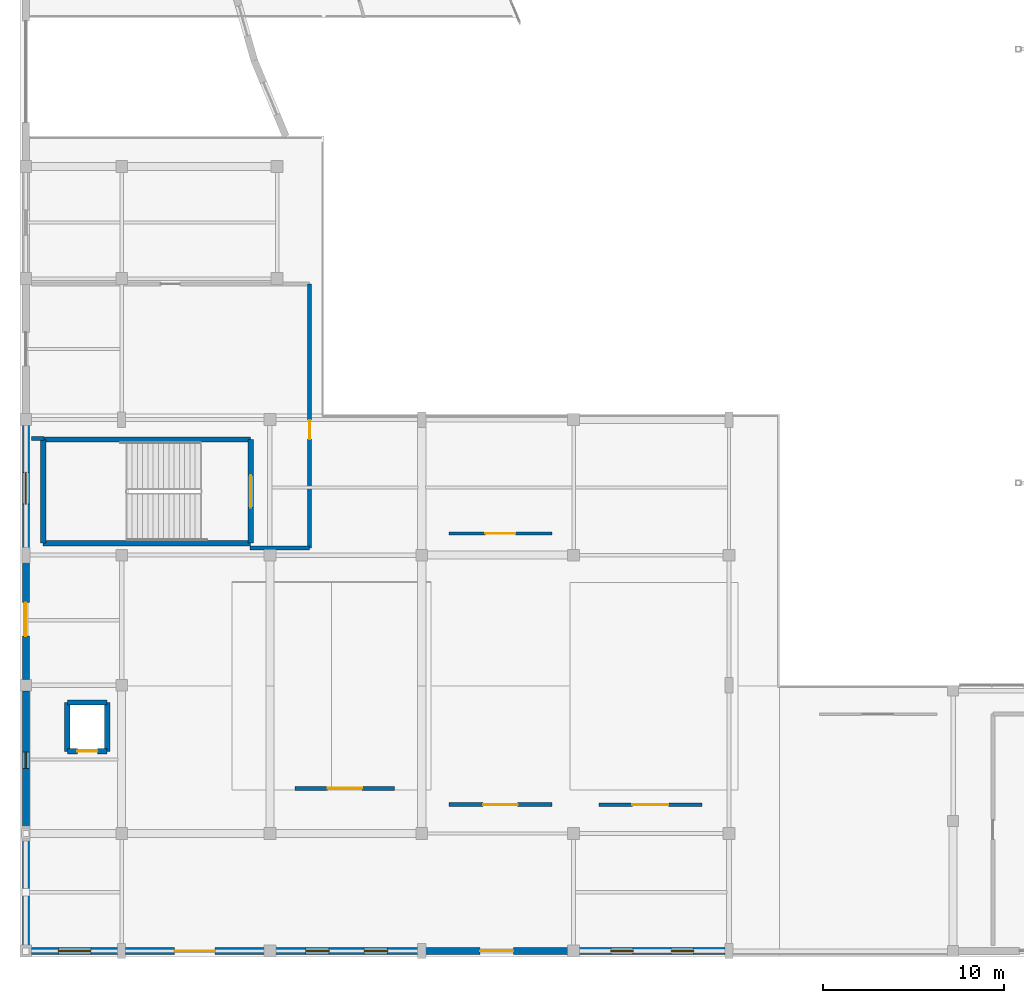
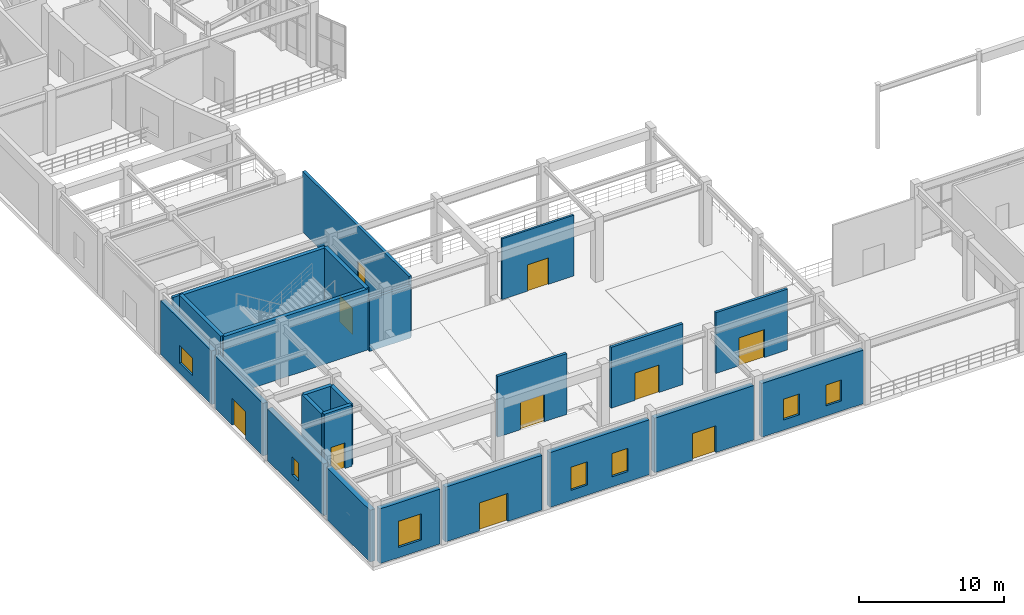
# One storey, part 50 of 93: 24 walls, 10 doors, 7 windows, 17 openings.
"""IFC4 building model written with IfcOpenShell, lengths in metres."""

from ifc_helpers import new_model, si_unit, direction, frame, frame_2d, origin, place, context, subcontext, project, spatial, rectangle, extrude, material, layer, layer_set, type_object, element, fill, save


model = new_model("IFC4")

# Units and contexts
model_context = context("Model", 3, precision=1e-05, world=origin(), true_north=direction((0.0, 1.0)))
body_context = subcontext(model_context, "Body", "Model", "MODEL_VIEW")
ifc_project = project(units=[si_unit("LENGTHUNIT", "METRE"), si_unit("AREAUNIT", "SQUARE_METRE"), si_unit("VOLUMEUNIT", "CUBIC_METRE"), si_unit("PLANEANGLEUNIT", "RADIAN"), si_unit("MASSUNIT", "GRAM", prefix="KILO")], contexts=[model_context])

# Site, building, storey
site_placement = place(None, origin())
site = spatial("IfcSite", under=ifc_project, at=site_placement, CompositionType="ELEMENT")
building_placement = place(site_placement, origin())
building = spatial("IfcBuilding", under=site, at=building_placement, Name="Cinderbank Siding Concert Hall", CompositionType="ELEMENT")
storey_placement = place(building_placement, origin())
storey = spatial("IfcBuildingStorey", under=building, at=storey_placement, Name="L01", CompositionType="ELEMENT", Elevation=0.0)

# Wall, opening, door
ifc_material_1 = material(Name="Reinforced concrete AS 3600 N50 (50 MPa)", Category="concrete")
ifc_layer_1 = layer(ifc_material_1, 0.300048828125)
ifc_layer_set_1 = layer_set([ifc_layer_1], Name="Reinforced concrete AS 3600 N50 (50 MPa)")
wall_type_1 = type_object("IfcWallType", Name="WL-03 Structural Wall 300mm", PredefinedType="SHEAR", material=ifc_layer_set_1)
wall_1_placement = place(storey_placement, frame((19.5400390625, 34.39990234375, 0.0), z_axis=(0.0, 0.0, 1.0), x_axis=(0.0, -1.0, 0.0)))
wall_1 = element("IfcWall", 1, at=wall_1_placement, inside=storey, type_object=wall_type_1, Name="L01 ST-06 Core Wall ENTRY", PredefinedType="SHEAR", context=body_context, shape_type="SweptSolid", body=[
    extrude(rectangle(XDim=5.739990234375, YDim=0.300048828125, at=frame_2d((2.8701171875, 0.0))), origin(), (0.0, 0.0, 1.0), 5.1201171875),
])
opening_1_placement = place(wall_1_placement, frame((1.969970703125, 0.0, 0.0)))
opening_1 = element("IfcOpeningElement", 2, at=opening_1_placement, cuts=wall_1, Name="Opening D-05", PredefinedType="OPENING", context=body_context, shape_type="SweptSolid", body=[
    extrude(rectangle(XDim=1.800048828125, YDim=2.199951171875, at=frame_2d((0.89990234375, 1.10009765625))), frame((0.0, 0.162109375, 0.0), z_axis=(0.0, -1.0, 0.0), x_axis=(1.0, 0.0, 0.0)), (0.0, 0.0, 1.0), 0.323974609375),
])
ifc_material_2 = material(Name="Galvanised sheet steel acoustic fire door assembly", Category="steel")
door_type_1 = type_object("IfcDoorType", Name="D-05 Interior Door 1800x2200", OperationType="DOUBLE_DOOR_SINGLE_SWING", PredefinedType="DOOR", material=ifc_material_2)
door_1_placement = place(opening_1_placement, origin())
door_1 = element("IfcDoor", 3, at=door_1_placement, inside=storey, type_object=door_type_1, Name="L01 ST-06 Fire Stair Door L01-D036", OperationType="DOUBLE_DOOR_SINGLE_SWING", OverallHeight=2.199951171875, OverallWidth=1.800048828125, PredefinedType="DOOR", context=body_context, shape_type="SweptSolid", body=[
    extrude(rectangle(XDim=1.800048828125, YDim=2.199951171875, at=frame_2d((0.89990234375, 1.10009765625))), frame((0.0, 0.02490234375, 0.0), z_axis=(0.0, -1.0, 0.0), x_axis=(1.0, 0.0, 0.0)), (0.0, 0.0, 1.0), 0.050048828125),
])
fill(opening_1, door_1)

# Walls
wall_2_placement = place(storey_placement, frame((8.06005859375, 28.659912109375, 0.0), z_axis=(0.0, 0.0, 1.0), x_axis=(0.0, 1.0, 0.0)))
element("IfcWall", 4, at=wall_2_placement, inside=storey, type_object=wall_type_1, Name="L01 ST-06 Core Wall FAR", PredefinedType="SHEAR", context=body_context, shape_type="SweptSolid", body=[
    extrude(rectangle(XDim=5.739990234375, YDim=0.300048828125, at=frame_2d((2.8701171875, 0.0))), origin(), (0.0, 0.0, 1.0), 5.1201171875),
])
for number, where, z_axis, x_axis, name in (
    (5, (8.06005859375, 34.39990234375, 0.0), (0.0, 0.0, 1.0), (1.0, 0.0, 0.0), "L01 ST-06 Core Wall SIDE1"),
    (6, (19.5400390625, 28.659912109375, 0.0), (0.0, 0.0, 1.0), (-1.0, 0.0, 0.0), "L01 ST-06 Core Wall SIDE2"),
):
    element("IfcWall", number, at=place(storey_placement, frame(where, z_axis=z_axis, x_axis=x_axis)), inside=storey, type_object=wall_type_1, Name=name, PredefinedType="SHEAR", context=body_context, shape_type="SweptSolid", body=[
        extrude(rectangle(XDim=11.47998046875, YDim=0.300048828125, at=frame_2d((5.739990234375, 0.0))), origin(), (0.0, 0.0, 1.0), 5.1201171875),
    ])

# Wall, opening, door
wall_3_placement = place(storey_placement, frame((11.60009765625, 17.14990234375, 0.0), z_axis=(0.0, 0.0, 1.0), x_axis=(-1.0, 0.0, 0.0)))
wall_3 = element("IfcWall", 7, at=wall_3_placement, inside=storey, type_object=wall_type_1, Name="L01 LF-07 Shaft Wall -Y", PredefinedType="SHEAR", context=body_context, shape_type="SweptSolid", body=[
    extrude(rectangle(XDim=2.2001953125, YDim=0.300048828125, at=frame_2d((1.10009765625, 0.0))), origin(), (0.0, 0.0, 1.0), 5.1201171875),
])
opening_2_placement = place(wall_3_placement, frame((0.550048828125, 0.0, 0.0)))
opening_2 = element("IfcOpeningElement", 8, at=opening_2_placement, cuts=wall_3, Name="Opening LD-01", PredefinedType="OPENING", context=body_context, shape_type="SweptSolid", body=[
    extrude(rectangle(XDim=1.10009765625, YDim=2.14990234375, at=frame_2d((0.550048828125, 1.074951171875))), frame((0.0, 0.162109375, 0.0), z_axis=(0.0, -1.0, 0.0), x_axis=(1.0, 0.0, 0.0)), (0.0, 0.0, 1.0), 0.323974609375),
])
door_type_2 = type_object("IfcDoorType", Name="LD-01 Interior Door 1100x2150", OperationType="DOUBLE_DOOR_SLIDING", PredefinedType="DOOR", material=ifc_material_2)
door_2_placement = place(opening_2_placement, origin())
door_2 = element("IfcDoor", 9, at=door_2_placement, inside=storey, type_object=door_type_2, Name="L01 LF-07 Sliding Landing Door", OperationType="DOUBLE_DOOR_SLIDING", OverallHeight=2.14990234375, OverallWidth=1.10009765625, PredefinedType="DOOR", context=body_context, shape_type="SweptSolid", body=[
    extrude(rectangle(XDim=1.10009765625, YDim=2.14990234375, at=frame_2d((0.550048828125, 1.074951171875))), frame((0.0, 0.02490234375, 0.0), z_axis=(0.0, -1.0, 0.0), x_axis=(1.0, 0.0, 0.0)), (0.0, 0.0, 1.0), 0.050048828125),
])
fill(opening_2, door_2)

# Walls
wall_4_placement = place(storey_placement, frame((11.60009765625, 19.85009765625, 0.0), z_axis=(0.0, 0.0, 1.0), x_axis=(0.0, -1.0, 0.0)))
element("IfcWall", 10, at=wall_4_placement, inside=storey, type_object=wall_type_1, Name="L01 LF-07 Shaft Wall +X", PredefinedType="SHEAR", context=body_context, shape_type="SweptSolid", body=[
    extrude(rectangle(XDim=2.7001953125, YDim=0.300048828125, at=frame_2d((1.35009765625, 0.0))), origin(), (0.0, 0.0, 1.0), 5.1201171875),
])
wall_5_placement = place(storey_placement, frame((9.39990234375, 19.85009765625, 0.0), z_axis=(0.0, 0.0, 1.0), x_axis=(1.0, 0.0, 0.0)))
element("IfcWall", 11, at=wall_5_placement, inside=storey, type_object=wall_type_1, Name="L01 LF-07 Shaft Wall +Y", PredefinedType="SHEAR", context=body_context, shape_type="SweptSolid", body=[
    extrude(rectangle(XDim=2.2001953125, YDim=0.300048828125, at=frame_2d((1.10009765625, 0.0))), origin(), (0.0, 0.0, 1.0), 5.1201171875),
])
wall_6_placement = place(storey_placement, frame((9.39990234375, 17.14990234375, 0.0), z_axis=(0.0, 0.0, 1.0), x_axis=(0.0, 1.0, 0.0)))
element("IfcWall", 12, at=wall_6_placement, inside=storey, type_object=wall_type_1, Name="L01 LF-07 Shaft Wall -X", PredefinedType="SHEAR", context=body_context, shape_type="SweptSolid", body=[
    extrude(rectangle(XDim=2.7001953125, YDim=0.300048828125, at=frame_2d((1.35009765625, 0.0))), origin(), (0.0, 0.0, 1.0), 5.1201171875),
])
ifc_layer_2 = layer(ifc_material_1, 0.219970703125)
ifc_layer_set_2 = layer_set([ifc_layer_2], Name="Reinforced concrete AS 3600 N50 (50 MPa)")
wall_type_2 = type_object("IfcWallType", Name="WL-06 Interior Wall 220mm", PredefinedType="SOLIDWALL", material=ifc_layer_set_2)
wall_7_placement = place(storey_placement, frame((8.10009765625, 34.449951171875, 0.0), z_axis=(0.0, 0.0, 1.0), x_axis=(-1.0, 0.0, 0.0)))
element("IfcWall", 13, at=wall_7_placement, inside=storey, type_object=wall_type_2, Name="L01 Fire-Isolated Exit Passage Wall EPW-06-S0", PredefinedType="SOLIDWALL", context=body_context, shape_type="SweptSolid", body=[
    extrude(rectangle(XDim=0.7001953125, YDim=0.219970703125, at=frame_2d((0.35009765625, 0.0))), origin(), (0.0, 0.0, 1.0), 5.10498046875),
])
wall_8_placement = place(storey_placement, frame((22.800048828125, 28.39990234375, 0.0), z_axis=(0.0, 0.0, 1.0), x_axis=(-1.0, 0.0, 0.0)))
element("IfcWall", 14, at=wall_8_placement, inside=storey, type_object=wall_type_2, Name="L01 Fire-Isolated Exit Passage Wall EPW-06-S1", PredefinedType="SOLIDWALL", context=body_context, shape_type="SweptSolid", body=[
    extrude(rectangle(XDim=3.300048828125, YDim=0.219970703125, at=frame_2d((1.64990234375, 0.0))), origin(), (0.0, 0.0, 1.0), 4.406982421875),
])

# Wall, opening, door
wall_9_placement = place(storey_placement, frame((22.800048828125, 43.0, 0.0), z_axis=(0.0, 0.0, 1.0), x_axis=(0.0, -1.0, 0.0)))
wall_9 = element("IfcWall", 15, at=wall_9_placement, inside=storey, type_object=wall_type_2, Name="L01 Fire-Isolated Exit Passage Wall EPW-06-E", PredefinedType="SOLIDWALL", context=body_context, shape_type="SweptSolid", body=[
    extrude(rectangle(XDim=14.60009765625, YDim=0.219970703125, at=frame_2d((7.300048828125, 0.0))), origin(), (0.0, 0.0, 1.0), 5.10498046875),
])
opening_3_placement = place(wall_9_placement, frame((7.52490234375, 0.0, 0.0)))
opening_3 = element("IfcOpeningElement", 16, at=opening_3_placement, cuts=wall_9, Name="Opening D-02", PredefinedType="OPENING", context=body_context, shape_type="SweptSolid", body=[
    extrude(rectangle(XDim=1.050048828125, YDim=2.14990234375, at=frame_2d((0.52490234375, 1.074951171875))), frame((0.0, 0.1220703125, 0.0), z_axis=(0.0, -1.0, 0.0), x_axis=(1.0, 0.0, 0.0)), (0.0, 0.0, 1.0), 0.243896484375),
])
door_type_3 = type_object("IfcDoorType", Name="D-02 Interior Door 1050x2150", OperationType="NOTDEFINED", PredefinedType="DOOR", material=ifc_material_2)
door_3_placement = place(opening_3_placement, origin())
door_3 = element("IfcDoor", 17, at=door_3_placement, inside=storey, type_object=door_type_3, Name="L01 Exit Passage Fire Door L01-D093", OperationType="SINGLE_SWING_RIGHT", OverallHeight=2.14990234375, OverallWidth=1.050048828125, PredefinedType="DOOR", context=body_context, shape_type="SweptSolid", body=[
    extrude(rectangle(XDim=1.050048828125, YDim=2.14990234375, at=frame_2d((0.52490234375, 1.074951171875))), frame((0.0, 0.02490234375, 0.0), z_axis=(0.0, -1.0, 0.0), x_axis=(1.0, 0.0, 0.0)), (0.0, 0.0, 1.0), 0.050048828125),
])
fill(opening_3, door_3)

wall_10_placement = place(storey_placement, frame((22.0, 15.10009765625, 0.0), z_axis=(0.0, 0.0, 1.0), x_axis=(1.0, 0.0, 0.0)))
wall_10 = element("IfcWall", 18, at=wall_10_placement, inside=storey, type_object=wall_type_2, Name="L01 Partition Chamber Hall West Portal", PredefinedType="SOLIDWALL", context=body_context, shape_type="SweptSolid", body=[
    extrude(rectangle(XDim=5.5, YDim=0.219970703125, at=frame_2d((2.75, 0.0))), origin(), (0.0, 0.0, 1.0), 5.10498046875),
])
opening_4_placement = place(wall_10_placement, frame((1.800048828125, 0.0, 0.0)))
opening_4 = element("IfcOpeningElement", 19, at=opening_4_placement, cuts=wall_10, Name="Opening D-06", PredefinedType="OPENING", context=body_context, shape_type="SweptSolid", body=[
    extrude(rectangle(XDim=1.89990234375, YDim=2.300048828125, at=frame_2d((0.949951171875, 1.14990234375))), frame((0.0, 0.1220703125, 0.0), z_axis=(0.0, -1.0, 0.0), x_axis=(1.0, 0.0, 0.0)), (0.0, 0.0, 1.0), 0.243896484375),
])
door_type_4 = type_object("IfcDoorType", Name="D-06 Interior Door 1900x2300", OperationType="DOUBLE_DOOR_SINGLE_SWING", PredefinedType="DOOR", material=ifc_material_2)
door_4_placement = place(opening_4_placement, origin())
door_4 = element("IfcDoor", 20, at=door_4_placement, inside=storey, type_object=door_type_4, Name="L01 Chamber Hall West Portal Door L01-D243", OperationType="DOUBLE_DOOR_SINGLE_SWING", OverallHeight=2.300048828125, OverallWidth=1.89990234375, PredefinedType="DOOR", context=body_context, shape_type="SweptSolid", body=[
    extrude(rectangle(XDim=1.89990234375, YDim=2.300048828125, at=frame_2d((0.949951171875, 1.14990234375))), frame((0.0, 0.02490234375, 0.0), z_axis=(0.0, -1.0, 0.0), x_axis=(1.0, 0.0, 0.0)), (0.0, 0.0, 1.0), 0.050048828125),
])
fill(opening_4, door_4)

wall_11_placement = place(storey_placement, frame((30.5, 14.199951171875, 0.0), z_axis=(0.0, 0.0, 1.0), x_axis=(1.0, 0.0, 0.0)))
wall_11 = element("IfcWall", 21, at=wall_11_placement, inside=storey, type_object=wall_type_2, Name="L01 Partition Chamber Hall East Portal", PredefinedType="SOLIDWALL", context=body_context, shape_type="SweptSolid", body=[
    extrude(rectangle(XDim=5.699951171875, YDim=0.219970703125, at=frame_2d((2.85009765625, 0.0))), origin(), (0.0, 0.0, 1.0), 5.10498046875),
])
opening_5_placement = place(wall_11_placement, frame((1.89990234375, 0.0, 0.0)))
opening_5 = element("IfcOpeningElement", 22, at=opening_5_placement, cuts=wall_11, Name="Opening D-06", PredefinedType="OPENING", context=body_context, shape_type="SweptSolid", body=[
    extrude(rectangle(XDim=1.89990234375, YDim=2.300048828125, at=frame_2d((0.949951171875, 1.14990234375))), frame((0.0, 0.1220703125, 0.0), z_axis=(0.0, -1.0, 0.0), x_axis=(1.0, 0.0, 0.0)), (0.0, 0.0, 1.0), 0.243896484375),
])
door_5_placement = place(opening_5_placement, origin())
door_5 = element("IfcDoor", 23, at=door_5_placement, inside=storey, type_object=door_type_4, Name="L01 Chamber Hall East Portal Door L01-D244", OperationType="DOUBLE_DOOR_SINGLE_SWING", OverallHeight=2.300048828125, OverallWidth=1.89990234375, PredefinedType="DOOR", context=body_context, shape_type="SweptSolid", body=[
    extrude(rectangle(XDim=1.89990234375, YDim=2.300048828125, at=frame_2d((0.949951171875, 1.14990234375))), frame((0.0, 0.02490234375, 0.0), z_axis=(0.0, -1.0, 0.0), x_axis=(1.0, 0.0, 0.0)), (0.0, 0.0, 1.0), 0.050048828125),
])
fill(opening_5, door_5)

# Wall, opening, window
ifc_material_3 = material(Name="Sydney Hawkesbury sandstone ashlar masonry", Category="masonry")
ifc_layer_3 = layer(ifc_material_3, 0.389892578125)
ifc_layer_set_3 = layer_set([ifc_layer_3], Name="Sydney Hawkesbury sandstone ashlar masonry")
wall_type_3 = type_object("IfcWallType", Name="WL-09 Exterior Wall 390mm", PredefinedType="STANDARD", material=ifc_layer_set_3)
wall_12_placement = place(storey_placement, frame((12.18994140625, 6.10009765625, 0.0), z_axis=(0.0, 0.0, 1.0), x_axis=(-1.0, 0.0, 0.0)))
wall_12 = element("IfcWall", 24, at=wall_12_placement, inside=storey, type_object=wall_type_3, Name="L01 Facade Wall EW-V2-S0-L01", PredefinedType="STANDARD", context=body_context, shape_type="SweptSolid", body=[
    extrude(rectangle(XDim=4.780029296875, YDim=0.389892578125, at=frame_2d((2.39013671875, 0.0))), origin(), (0.0, 0.0, 1.0), 4.60009765625),
])
opening_6_placement = place(wall_12_placement, frame((1.489990234375, 0.0, 0.85009765625)))
opening_6 = element("IfcOpeningElement", 25, at=opening_6_placement, cuts=wall_12, Name="Opening WN-08", PredefinedType="OPENING", context=body_context, shape_type="SweptSolid", body=[
    extrude(rectangle(XDim=1.800048828125, YDim=2.199951171875, at=frame_2d((0.89990234375, 1.10009765625))), frame((0.0, 0.20703125, 0.0), z_axis=(0.0, -1.0, 0.0), x_axis=(1.0, 0.0, 0.0)), (0.0, 0.0, 1.0), 0.413818359375),
])
ifc_material_4 = material(Name="Double-glazed laminated acoustic glass", Category="glass")
window_type_1 = type_object("IfcWindowType", Name="WN-08 Acoustic Casement Window 1800x2200", PartitioningType="DOUBLE_PANEL_VERTICAL", PredefinedType="WINDOW", material=ifc_material_4)
window_1_placement = place(opening_6_placement, origin())
window_1 = element("IfcWindow", 26, at=window_1_placement, inside=storey, type_object=window_type_1, Name="L01 Facade Window #56", OverallHeight=2.199951171875, OverallWidth=1.800048828125, PartitioningType="DOUBLE_PANEL_VERTICAL", PredefinedType="WINDOW", context=body_context, shape_type="SweptSolid", body=[
    extrude(rectangle(XDim=1.800048828125, YDim=2.199951171875, at=frame_2d((0.89990234375, 1.10009765625))), frame((0.0, 0.030029296875, 0.0), z_axis=(0.0, -1.0, 0.0), x_axis=(1.0, 0.0, 0.0)), (0.0, 0.0, 1.0), 0.06005859375),
])
fill(opening_6, window_1)

# Wall, opening, door
wall_13_placement = place(storey_placement, frame((20.2900390625, 6.10009765625, 0.0), z_axis=(0.0, 0.0, 1.0), x_axis=(-1.0, 0.0, 0.0)))
wall_13 = element("IfcWall", 27, at=wall_13_placement, inside=storey, type_object=wall_type_3, Name="L01 Facade Wall EW-V2-S1-L01", PredefinedType="STANDARD", context=body_context, shape_type="SweptSolid", body=[
    extrude(rectangle(XDim=7.679931640625, YDim=0.389892578125, at=frame_2d((3.83984375, 0.0))), origin(), (0.0, 0.0, 1.0), 4.60009765625),
])
opening_7_placement = place(wall_13_placement, frame((2.719970703125, 0.0, 0.0)))
opening_7 = element("IfcOpeningElement", 28, at=opening_7_placement, cuts=wall_13, Name="Opening ED-D1", PredefinedType="OPENING", context=body_context, shape_type="SweptSolid", body=[
    extrude(rectangle(XDim=2.239990234375, YDim=2.35009765625, at=frame_2d((1.1201171875, 1.175048828125))), frame((0.0, 0.20703125, 0.0), z_axis=(0.0, -1.0, 0.0), x_axis=(1.0, 0.0, 0.0)), (0.0, 0.0, 1.0), 0.413818359375),
])
door_type_5 = type_object("IfcDoorType", Name="ED-D1 Exterior Door 2240x2350", OperationType="DOUBLE_DOOR_SINGLE_SWING", PredefinedType="DOOR", material=ifc_material_2)
door_6_placement = place(opening_7_placement, origin())
door_6 = element("IfcDoor", 29, at=door_6_placement, inside=storey, type_object=door_type_5, Name="Perimeter Final Exit V2-S1", OperationType="DOUBLE_DOOR_SINGLE_SWING", OverallHeight=2.35009765625, OverallWidth=2.239990234375, PredefinedType="DOOR", context=body_context, shape_type="SweptSolid", body=[
    extrude(rectangle(XDim=2.239990234375, YDim=2.35009765625, at=frame_2d((1.1201171875, 1.175048828125))), frame((0.0, 0.02490234375, 0.0), z_axis=(0.0, -1.0, 0.0), x_axis=(1.0, 0.0, 0.0)), (0.0, 0.0, 1.0), 0.050048828125),
])
fill(opening_7, door_6)

# Wall, openings, windows
wall_14_placement = place(storey_placement, frame((28.7900390625, 6.10009765625, 0.0), z_axis=(0.0, 0.0, 1.0), x_axis=(-1.0, 0.0, 0.0)))
wall_14 = element("IfcWall", 30, at=wall_14_placement, inside=storey, type_object=wall_type_3, Name="L01 Facade Wall EW-V2-S2-L01", PredefinedType="STANDARD", context=body_context, shape_type="SweptSolid", body=[
    extrude(rectangle(XDim=7.880126953125, YDim=0.389892578125, at=frame_2d((3.93994140625, 0.0))), origin(), (0.0, 0.0, 1.0), 4.60009765625),
])
opening_8_placement = place(wall_14_placement, frame((1.669921875, 0.0, 0.85009765625)))
opening_8 = element("IfcOpeningElement", 31, at=opening_8_placement, cuts=wall_14, Name="Opening WN-13", PredefinedType="OPENING", context=body_context, shape_type="SweptSolid", body=[
    extrude(rectangle(XDim=1.300048828125, YDim=1.949951171875, at=frame_2d((0.64990234375, 0.97509765625))), frame((0.0, 0.20703125, 0.0), z_axis=(0.0, -1.0, 0.0), x_axis=(1.0, 0.0, 0.0)), (0.0, 0.0, 1.0), 0.413818359375),
])
opening_9_placement = place(wall_14_placement, frame((4.909912109375, 0.0, 0.85009765625)))
opening_9 = element("IfcOpeningElement", 32, at=opening_9_placement, cuts=wall_14, Name="Opening WN-13", PredefinedType="OPENING", context=body_context, shape_type="SweptSolid", body=[
    extrude(rectangle(XDim=1.300048828125, YDim=1.949951171875, at=frame_2d((0.64990234375, 0.97509765625))), frame((0.0, 0.20703125, 0.0), z_axis=(0.0, -1.0, 0.0), x_axis=(1.0, 0.0, 0.0)), (0.0, 0.0, 1.0), 0.413818359375),
])
window_type_2 = type_object("IfcWindowType", Name="WN-13 Acoustic Casement Window 1300x1950", PartitioningType="DOUBLE_PANEL_VERTICAL", PredefinedType="WINDOW", material=ifc_material_4)
window_2_placement = place(opening_8_placement, origin())
window_2 = element("IfcWindow", 33, at=window_2_placement, inside=storey, type_object=window_type_2, Name="L01 Facade Window #61", OverallHeight=1.949951171875, OverallWidth=1.300048828125, PartitioningType="DOUBLE_PANEL_VERTICAL", PredefinedType="WINDOW", context=body_context, shape_type="SweptSolid", body=[
    extrude(rectangle(XDim=1.300048828125, YDim=1.949951171875, at=frame_2d((0.64990234375, 0.97509765625))), frame((0.0, 0.030029296875, 0.0), z_axis=(0.0, -1.0, 0.0), x_axis=(1.0, 0.0, 0.0)), (0.0, 0.0, 1.0), 0.06005859375),
])
fill(opening_8, window_2)
window_3_placement = place(opening_9_placement, origin())
window_3 = element("IfcWindow", 34, at=window_3_placement, inside=storey, type_object=window_type_2, Name="L01 Facade Window #62", OverallHeight=1.949951171875, OverallWidth=1.300048828125, PartitioningType="DOUBLE_PANEL_VERTICAL", PredefinedType="WINDOW", context=body_context, shape_type="SweptSolid", body=[
    extrude(rectangle(XDim=1.300048828125, YDim=1.949951171875, at=frame_2d((0.64990234375, 0.97509765625))), frame((0.0, 0.030029296875, 0.0), z_axis=(0.0, -1.0, 0.0), x_axis=(1.0, 0.0, 0.0)), (0.0, 0.0, 1.0), 0.06005859375),
])
fill(opening_9, window_3)

# Wall, opening, door
wall_15_placement = place(storey_placement, frame((37.090087890625, 6.10009765625, 0.0), z_axis=(0.0, 0.0, 1.0), x_axis=(-1.0, 0.0, 0.0)))
wall_15 = element("IfcWall", 35, at=wall_15_placement, inside=storey, type_object=wall_type_3, Name="L01 Facade Wall EW-V2-S3-L01", PredefinedType="STANDARD", context=body_context, shape_type="SweptSolid", body=[
    extrude(rectangle(XDim=7.880126953125, YDim=0.389892578125, at=frame_2d((3.93994140625, 0.0))), origin(), (0.0, 0.0, 1.0), 4.578857421875),
])
opening_10_placement = place(wall_15_placement, frame((3.014892578125, 0.0, 0.0)))
opening_10 = element("IfcOpeningElement", 36, at=opening_10_placement, cuts=wall_15, Name="Opening ED-D3", PredefinedType="OPENING", context=body_context, shape_type="SweptSolid", body=[
    extrude(rectangle(XDim=1.85009765625, YDim=2.25, at=frame_2d((0.925048828125, 1.125))), frame((0.0, 0.20703125, 0.0), z_axis=(0.0, -1.0, 0.0), x_axis=(1.0, 0.0, 0.0)), (0.0, 0.0, 1.0), 0.413818359375),
])
door_type_6 = type_object("IfcDoorType", Name="ED-D3 Exterior Door 1850x2250", OperationType="DOUBLE_DOOR_SINGLE_SWING", PredefinedType="DOOR", material=ifc_material_2)
door_7_placement = place(opening_10_placement, origin())
door_7 = element("IfcDoor", 37, at=door_7_placement, inside=storey, type_object=door_type_6, Name="Perimeter Final Exit V2-S3", OperationType="DOUBLE_DOOR_SINGLE_SWING", OverallHeight=2.25, OverallWidth=1.85009765625, PredefinedType="DOOR", context=body_context, shape_type="SweptSolid", body=[
    extrude(rectangle(XDim=1.85009765625, YDim=2.25, at=frame_2d((0.925048828125, 1.125))), frame((0.0, 0.02490234375, 0.0), z_axis=(0.0, -1.0, 0.0), x_axis=(1.0, 0.0, 0.0)), (0.0, 0.0, 1.0), 0.050048828125),
])
fill(opening_10, door_7)

# Wall, openings, windows
wall_16_placement = place(storey_placement, frame((45.7900390625, 6.10009765625, 0.0), z_axis=(0.0, 0.0, 1.0), x_axis=(-1.0, 0.0, 0.0)))
wall_16 = element("IfcWall", 38, at=wall_16_placement, inside=storey, type_object=wall_type_3, Name="L01 Facade Wall EW-V2-S4-L01", PredefinedType="STANDARD", context=body_context, shape_type="SweptSolid", body=[
    extrude(rectangle(XDim=8.080078125, YDim=0.389892578125, at=frame_2d((4.0400390625, 0.0))), origin(), (0.0, 0.0, 1.0), 4.5048828125),
])
opening_11_placement = place(wall_16_placement, frame((1.75, 0.0, 0.85009765625)))
opening_11 = element("IfcOpeningElement", 39, at=opening_11_placement, cuts=wall_16, Name="Opening WN-20", PredefinedType="OPENING", context=body_context, shape_type="SweptSolid", body=[
    extrude(rectangle(XDim=1.239990234375, YDim=1.75, at=frame_2d((0.6201171875, 0.875))), frame((0.0, 0.20703125, 0.0), z_axis=(0.0, -1.0, 0.0), x_axis=(1.0, 0.0, 0.0)), (0.0, 0.0, 1.0), 0.413818359375),
])
opening_12_placement = place(wall_16_placement, frame((5.090087890625, 0.0, 0.85009765625)))
opening_12 = element("IfcOpeningElement", 40, at=opening_12_placement, cuts=wall_16, Name="Opening WN-20", PredefinedType="OPENING", context=body_context, shape_type="SweptSolid", body=[
    extrude(rectangle(XDim=1.239990234375, YDim=1.75, at=frame_2d((0.6201171875, 0.875))), frame((0.0, 0.20703125, 0.0), z_axis=(0.0, -1.0, 0.0), x_axis=(1.0, 0.0, 0.0)), (0.0, 0.0, 1.0), 0.413818359375),
])
window_type_3 = type_object("IfcWindowType", Name="WN-20 Acoustic Casement Window 1240x1750", PartitioningType="DOUBLE_PANEL_VERTICAL", PredefinedType="WINDOW", material=ifc_material_4)
window_4_placement = place(opening_11_placement, origin())
window_4 = element("IfcWindow", 41, at=window_4_placement, inside=storey, type_object=window_type_3, Name="L01 Facade Window #68", OverallHeight=1.75, OverallWidth=1.239990234375, PartitioningType="DOUBLE_PANEL_VERTICAL", PredefinedType="WINDOW", context=body_context, shape_type="SweptSolid", body=[
    extrude(rectangle(XDim=1.239990234375, YDim=1.75, at=frame_2d((0.6201171875, 0.875))), frame((0.0, 0.030029296875, 0.0), z_axis=(0.0, -1.0, 0.0), x_axis=(1.0, 0.0, 0.0)), (0.0, 0.0, 1.0), 0.06005859375),
])
fill(opening_11, window_4)
window_5_placement = place(opening_12_placement, origin())
window_5 = element("IfcWindow", 42, at=window_5_placement, inside=storey, type_object=window_type_3, Name="L01 Facade Window #69", OverallHeight=1.75, OverallWidth=1.239990234375, PartitioningType="DOUBLE_PANEL_VERTICAL", PredefinedType="WINDOW", context=body_context, shape_type="SweptSolid", body=[
    extrude(rectangle(XDim=1.239990234375, YDim=1.75, at=frame_2d((0.6201171875, 0.875))), frame((0.0, 0.030029296875, 0.0), z_axis=(0.0, -1.0, 0.0), x_axis=(1.0, 0.0, 0.0)), (0.0, 0.0, 1.0), 0.06005859375),
])
fill(opening_12, window_5)

# Wall
wall_17_placement = place(storey_placement, frame((7.10009765625, 6.409912109375, 0.0), z_axis=(0.0, 0.0, 1.0), x_axis=(0.0, 1.0, 0.0)))
element("IfcWall", 43, at=wall_17_placement, inside=storey, type_object=wall_type_3, Name="L01 Facade Wall EW-V2-W0-L01", PredefinedType="STANDARD", context=body_context, shape_type="SweptSolid", body=[
    extrude(rectangle(XDim=5.97998046875, YDim=0.389892578125, at=frame_2d((2.989990234375, 0.0))), origin(), (0.0, 0.0, 1.0), 4.35693359375),
])

# Wall, opening, window
wall_18_placement = place(storey_placement, frame((7.10009765625, 12.81005859375, 0.0), z_axis=(0.0, 0.0, 1.0), x_axis=(0.0, 1.0, 0.0)))
wall_18 = element("IfcWall", 44, at=wall_18_placement, inside=storey, type_object=wall_type_3, Name="L01 Facade Wall EW-V2-W1-L01", PredefinedType="STANDARD", context=body_context, shape_type="SweptSolid", body=[
    extrude(rectangle(XDim=7.679931640625, YDim=0.389892578125, at=frame_2d((3.83984375, 0.0))), origin(), (0.0, 0.0, 1.0), 4.35693359375),
])
opening_13_placement = place(wall_18_placement, frame((3.389892578125, 0.0, 0.85009765625)))
opening_13 = element("IfcOpeningElement", 45, at=opening_13_placement, cuts=wall_18, Name="Opening WN-25", PredefinedType="OPENING", context=body_context, shape_type="SweptSolid", body=[
    extrude(rectangle(XDim=0.89990234375, YDim=1.5, at=frame_2d((0.449951171875, 0.75))), frame((0.0, 0.20703125, 0.0), z_axis=(0.0, -1.0, 0.0), x_axis=(1.0, 0.0, 0.0)), (0.0, 0.0, 1.0), 0.413818359375),
])
window_type_4 = type_object("IfcWindowType", Name="WN-25 Acoustic Casement Window 900x1500", PartitioningType="DOUBLE_PANEL_VERTICAL", PredefinedType="WINDOW", material=ifc_material_4)
window_6_placement = place(opening_13_placement, origin())
window_6 = element("IfcWindow", 46, at=window_6_placement, inside=storey, type_object=window_type_4, Name="L01 Facade Window #73", OverallHeight=1.5, OverallWidth=0.89990234375, PartitioningType="DOUBLE_PANEL_VERTICAL", PredefinedType="WINDOW", context=body_context, shape_type="SweptSolid", body=[
    extrude(rectangle(XDim=0.89990234375, YDim=1.5, at=frame_2d((0.449951171875, 0.75))), frame((0.0, 0.030029296875, 0.0), z_axis=(0.0, -1.0, 0.0), x_axis=(1.0, 0.0, 0.0)), (0.0, 0.0, 1.0), 0.06005859375),
])
fill(opening_13, window_6)

# Wall, opening, door
wall_19_placement = place(storey_placement, frame((7.10009765625, 21.110107421875, 0.0), z_axis=(0.0, 0.0, 1.0), x_axis=(0.0, 1.0, 0.0)))
wall_19 = element("IfcWall", 47, at=wall_19_placement, inside=storey, type_object=wall_type_3, Name="L01 Facade Wall EW-V2-W2-L01", PredefinedType="STANDARD", context=body_context, shape_type="SweptSolid", body=[
    extrude(rectangle(XDim=6.679931640625, YDim=0.389892578125, at=frame_2d((3.33984375, 0.0))), origin(), (0.0, 0.0, 1.0), 4.406982421875),
])
opening_14_placement = place(wall_19_placement, frame((2.4150390625, 0.0, 0.0)))
opening_14 = element("IfcOpeningElement", 48, at=opening_14_placement, cuts=wall_19, Name="Opening ED-D3", PredefinedType="OPENING", context=body_context, shape_type="SweptSolid", body=[
    extrude(rectangle(XDim=1.85009765625, YDim=2.25, at=frame_2d((0.925048828125, 1.125))), frame((0.0, 0.20703125, 0.0), z_axis=(0.0, -1.0, 0.0), x_axis=(1.0, 0.0, 0.0)), (0.0, 0.0, 1.0), 0.413818359375),
])
door_8_placement = place(opening_14_placement, origin())
door_8 = element("IfcDoor", 49, at=door_8_placement, inside=storey, type_object=door_type_6, Name="Perimeter Final Exit V2-W2", OperationType="DOUBLE_DOOR_SINGLE_SWING", OverallHeight=2.25, OverallWidth=1.85009765625, PredefinedType="DOOR", context=body_context, shape_type="SweptSolid", body=[
    extrude(rectangle(XDim=1.85009765625, YDim=2.25, at=frame_2d((0.925048828125, 1.125))), frame((0.0, 0.02490234375, 0.0), z_axis=(0.0, -1.0, 0.0), x_axis=(1.0, 0.0, 0.0)), (0.0, 0.0, 1.0), 0.050048828125),
])
fill(opening_14, door_8)

# Wall, opening, window
wall_20_placement = place(storey_placement, frame((7.10009765625, 28.2099609375, 0.0), z_axis=(0.0, 0.0, 1.0), x_axis=(0.0, 1.0, 0.0)))
wall_20 = element("IfcWall", 50, at=wall_20_placement, inside=storey, type_object=wall_type_3, Name="L01 Facade Wall EW-V2-W3-L01", PredefinedType="STANDARD", context=body_context, shape_type="SweptSolid", body=[
    extrude(rectangle(XDim=6.97998046875, YDim=0.389892578125, at=frame_2d((3.489990234375, 0.0))), origin(), (0.0, 0.0, 1.0), 4.5048828125),
])
opening_15_placement = place(wall_20_placement, frame((2.614990234375, 0.0, 0.85009765625)))
opening_15 = element("IfcOpeningElement", 51, at=opening_15_placement, cuts=wall_20, Name="Opening WN-30", PredefinedType="OPENING", context=body_context, shape_type="SweptSolid", body=[
    extrude(rectangle(XDim=1.75, YDim=1.5, at=frame_2d((0.875, 0.75))), frame((0.0, 0.20703125, 0.0), z_axis=(0.0, -1.0, 0.0), x_axis=(1.0, 0.0, 0.0)), (0.0, 0.0, 1.0), 0.413818359375),
])
window_type_5 = type_object("IfcWindowType", Name="WN-30 Acoustic Casement Window 1750x1500", PartitioningType="DOUBLE_PANEL_VERTICAL", PredefinedType="WINDOW", material=ifc_material_4)
window_7_placement = place(opening_15_placement, origin())
window_7 = element("IfcWindow", 52, at=window_7_placement, inside=storey, type_object=window_type_5, Name="L01 Facade Window #78", OverallHeight=1.5, OverallWidth=1.75, PartitioningType="DOUBLE_PANEL_VERTICAL", PredefinedType="WINDOW", context=body_context, shape_type="SweptSolid", body=[
    extrude(rectangle(XDim=1.75, YDim=1.5, at=frame_2d((0.875, 0.75))), frame((0.0, 0.030029296875, 0.0), z_axis=(0.0, -1.0, 0.0), x_axis=(1.0, 0.0, 0.0)), (0.0, 0.0, 1.0), 0.06005859375),
])
fill(opening_15, window_7)

# Wall, opening, door
ifc_material_5 = material(Name="Acoustic plasterboard on light-gauge steel studs", Category="gypsum")
ifc_layer_4 = layer(ifc_material_5, 0.199951171875)
ifc_layer_set_4 = layer_set([ifc_layer_4], Name="Acoustic plasterboard on light-gauge steel studs")
wall_type_4 = type_object("IfcWallType", Name="WL-12 Interior Wall 200mm", PredefinedType="PARTITIONING", material=ifc_layer_set_4)
wall_21_placement = place(storey_placement, frame((38.800048828125, 14.199951171875, 0.0), z_axis=(0.0, 0.0, 1.0), x_axis=(1.0, 0.0, 0.0)))
wall_21 = element("IfcWall", 53, at=wall_21_placement, inside=storey, type_object=wall_type_4, Name="L01 Partition Chamber Stage Door", PredefinedType="PARTITIONING", context=body_context, shape_type="SweptSolid", body=[
    extrude(rectangle(XDim=5.699951171875, YDim=0.199951171875, at=frame_2d((2.85009765625, 0.0))), origin(), (0.0, 0.0, 1.0), 5.10498046875),
])
opening_16_placement = place(wall_21_placement, frame((1.85009765625, 0.0, 0.0)))
opening_16 = element("IfcOpeningElement", 54, at=opening_16_placement, cuts=wall_21, Name="Opening D-07", PredefinedType="OPENING", context=body_context, shape_type="SweptSolid", body=[
    extrude(rectangle(XDim=2.0, YDim=2.35009765625, at=frame_2d((1.0, 1.175048828125))), frame((0.0, 0.11181640625, 0.0), z_axis=(0.0, -1.0, 0.0), x_axis=(1.0, 0.0, 0.0)), (0.0, 0.0, 1.0), 0.223876953125),
])
ifc_material_6 = material(Name="Solid-core spotted gum acoustic timber", Category="wood")
door_type_7 = type_object("IfcDoorType", Name="D-07 Interior Door 2000x2350", OperationType="DOUBLE_DOOR_SINGLE_SWING", PredefinedType="DOOR", material=ifc_material_6)
door_9_placement = place(opening_16_placement, origin())
door_9 = element("IfcDoor", 55, at=door_9_placement, inside=storey, type_object=door_type_7, Name="L01 Chamber Stage Door Door L01-D245", OperationType="DOUBLE_DOOR_SINGLE_SWING", OverallHeight=2.35009765625, OverallWidth=2.0, PredefinedType="DOOR", context=body_context, shape_type="SweptSolid", body=[
    extrude(rectangle(XDim=2.0, YDim=2.35009765625, at=frame_2d((1.0, 1.175048828125))), frame((0.0, 0.02490234375, 0.0), z_axis=(0.0, -1.0, 0.0), x_axis=(1.0, 0.0, 0.0)), (0.0, 0.0, 1.0), 0.050048828125),
])
fill(opening_16, door_9)

ifc_layer_5 = layer(ifc_material_5, 0.159912109375)
ifc_layer_set_5 = layer_set([ifc_layer_5], Name="Acoustic plasterboard on light-gauge steel studs")
wall_type_5 = type_object("IfcWallType", Name="WL-14 Interior Wall 160mm", PredefinedType="PARTITIONING", material=ifc_layer_set_5)
wall_22_placement = place(storey_placement, frame((30.5, 29.199951171875, 0.0), z_axis=(0.0, 0.0, 1.0), x_axis=(1.0, 0.0, 0.0)))
wall_22 = element("IfcWall", 56, at=wall_22_placement, inside=storey, type_object=wall_type_5, Name="L01 Partition Chamber Green Room", PredefinedType="PARTITIONING", context=body_context, shape_type="SweptSolid", body=[
    extrude(rectangle(XDim=5.699951171875, YDim=0.159912109375, at=frame_2d((2.85009765625, 0.0))), origin(), (0.0, 0.0, 1.0), 5.10498046875),
])
opening_17_placement = place(wall_22_placement, frame((2.02490234375, 0.0, 0.0)))
opening_17 = element("IfcOpeningElement", 57, at=opening_17_placement, cuts=wall_22, Name="Opening D-20", PredefinedType="OPENING", context=body_context, shape_type="SweptSolid", body=[
    extrude(rectangle(XDim=1.64990234375, YDim=2.219970703125, at=frame_2d((0.824951171875, 1.10986328125))), frame((0.0, 0.091796875, 0.0), z_axis=(0.0, -1.0, 0.0), x_axis=(1.0, 0.0, 0.0)), (0.0, 0.0, 1.0), 0.183837890625),
])
door_type_8 = type_object("IfcDoorType", Name="D-20 Interior Door 1650x2220", OperationType="DOUBLE_DOOR_SINGLE_SWING", PredefinedType="DOOR", material=ifc_material_6)
door_10_placement = place(opening_17_placement, origin())
door_10 = element("IfcDoor", 58, at=door_10_placement, inside=storey, type_object=door_type_8, Name="L01 Chamber Green Room Door L01-D246", OperationType="DOUBLE_DOOR_SINGLE_SWING", OverallHeight=2.219970703125, OverallWidth=1.64990234375, PredefinedType="DOOR", context=body_context, shape_type="SweptSolid", body=[
    extrude(rectangle(XDim=1.64990234375, YDim=2.219970703125, at=frame_2d((0.824951171875, 1.10986328125))), frame((0.0, 0.02490234375, 0.0), z_axis=(0.0, -1.0, 0.0), x_axis=(1.0, 0.0, 0.0)), (0.0, 0.0, 1.0), 0.050048828125),
])
fill(opening_17, door_10)

save(model, "model.ifc")
